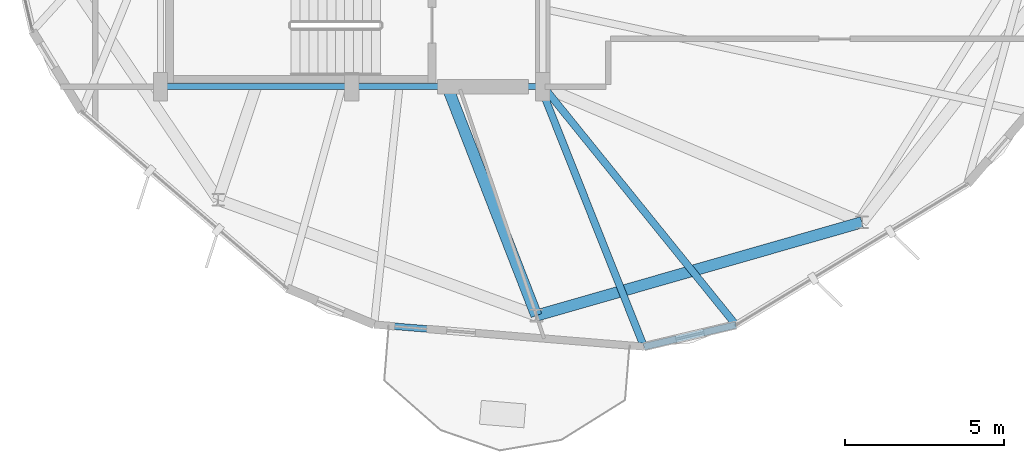
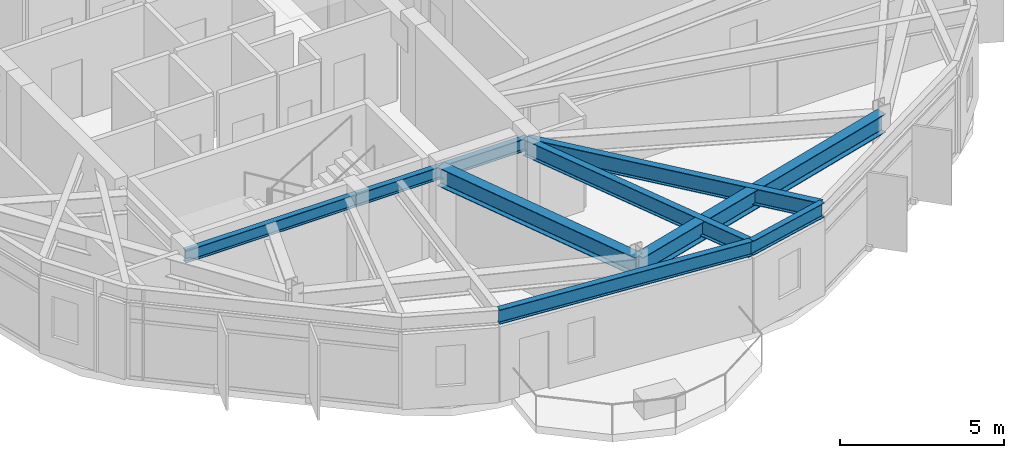
# One storey, part 4 of 23: 8 beams.
"""IFC4 building model written with IfcOpenShell, lengths in metres."""

import ifcopenshell
import ifcopenshell.guid

model = None  # the IFC model being written
_history = None  # IfcOwnerHistory: only IFC2X3 demands one
_inside = {}  # id of a spatial element -> (the spatial element, [elements in it])
_under = {}  # id of a project, library or spatial element -> (it, [spatial elements below it])
_declared = {}  # id of a project -> (the project, [libraries it declares])
_typed = {}  # id of a type object -> (the type object, [elements of that type])
_made_of = {}  # id of a material, layer set ... -> (it, [elements and type objects made of it])


def new_model(schema):
    """Start an empty IFC model of exactly this schema.

    Asked for "IFC4X3", IfcOpenShell would pick the latest addendum, in which some entities
    have other attributes; the version numbers below select the first issue.
    IFC2X3 requires an IfcOwnerHistory on every rooted entity: one is made here for all.
    """
    global model, _history
    if schema == "IFC4X3":
        model = ifcopenshell.file(schema_version=(4, 3, 0, 0))
    else:
        model = ifcopenshell.file(schema=schema)
    _inside.clear()
    _under.clear()
    _declared.clear()
    _typed.clear()
    _made_of.clear()
    _history = None
    if model.schema == "IFC2X3":
        org = make("IfcOrganization", Name="unknown")
        user = make(
            "IfcPersonAndOrganization",
            ThePerson=make("IfcPerson", FamilyName="unknown"),
            TheOrganization=org,
        )
        app = make(
            "IfcApplication",
            ApplicationDeveloper=org,
            Version="unknown",
            ApplicationFullName="unknown",
            ApplicationIdentifier="unknown",
        )
        _history = make(
            "IfcOwnerHistory",
            OwningUser=user,
            OwningApplication=app,
            ChangeAction="ADDED",
            CreationDate=0,
        )
    return model


def make(cls, **values):
    """One entity of the class cls with the attributes given. An attribute that is None is left unset."""
    return model.create_entity(
        cls, **{name: value for name, value in values.items() if value is not None}
    )


def rooted(cls, **values):
    """An entity with a GlobalId (a new one), such as an element, a storey or a relation."""
    return make(cls, GlobalId=ifcopenshell.guid.new(), OwnerHistory=_history, **values)


def si_unit(unit_type, name, prefix=None):
    """IfcSIUnit, for example si_unit("LENGTHUNIT", "METRE", prefix="MILLI")."""
    return make("IfcSIUnit", UnitType=unit_type, Prefix=prefix, Name=name)


def assignment(units):
    """IfcUnitAssignment: the units of a project."""
    return None if units is None else make("IfcUnitAssignment", Units=units)


def point(xyz):
    """IfcCartesianPoint."""
    return None if xyz is None else make("IfcCartesianPoint", Coordinates=xyz)


def direction(xyz):
    """IfcDirection."""
    return None if xyz is None else make("IfcDirection", DirectionRatios=xyz)


def frame(location, z_axis=None, x_axis=None):
    """IfcAxis2Placement3D, a coordinate frame: its origin and axes. An axis left out is left unset."""
    return make(
        "IfcAxis2Placement3D",
        Location=point(location),
        Axis=direction(z_axis),
        RefDirection=direction(x_axis),
    )


def frame_2d(location, x_axis=None):
    """IfcAxis2Placement2D, a coordinate frame in the plane: its origin and x axis."""
    return make(
        "IfcAxis2Placement2D", Location=point(location), RefDirection=direction(x_axis)
    )


def origin():
    """The frame at (0, 0, 0) with its axes left unset."""
    return frame((0.0, 0.0, 0.0))


def origin_2d():
    """The frame at (0, 0) in the plane with its x axis left unset."""
    return frame_2d((0.0, 0.0))


def place(relative_to, where):
    """IfcLocalPlacement: puts the frame where relative to a parent placement (None: the world)."""
    return make(
        "IfcLocalPlacement", PlacementRelTo=relative_to, RelativePlacement=where
    )


def context(
    kind, dimensions, precision=None, world=None, true_north=None, identifier=None
):
    """IfcGeometricRepresentationContext, for example the 3D "Model" context."""
    return make(
        "IfcGeometricRepresentationContext",
        ContextIdentifier=identifier,
        ContextType=kind,
        CoordinateSpaceDimension=dimensions,
        Precision=precision,
        WorldCoordinateSystem=world,
        TrueNorth=true_north,
    )


def subcontext(parent, identifier, kind, view, scale=None):
    """IfcGeometricRepresentationSubContext, for example "Body" below "Model"."""
    return make(
        "IfcGeometricRepresentationSubContext",
        ContextIdentifier=identifier,
        ContextType=kind,
        ParentContext=parent,
        TargetScale=scale,
        TargetView=view,
    )


def project(units=None, contexts=None):
    """IfcProject with its units and contexts."""
    return rooted(
        "IfcProject",
        Name="project",
        RepresentationContexts=contexts,
        UnitsInContext=assignment(units),
    )


def spatial(cls, under=None, at=None, **own):
    """A site, building, storey or space (cls), placed at a placement, below another one or the project."""
    s = rooted(cls, ObjectPlacement=at, **own)
    if under is not None:
        _under.setdefault(under.id(), (under, []))[1].append(s)
    return s


def profile(cls, at=None, kind="AREA", **sizes):
    """A parametric profile (cls). Its sizes go by their IFC names, for example OverallWidth=200.0."""
    return make(cls, ProfileType=kind, Position=at, **sizes)


def i_section(**sizes):
    """IfcIShapeProfileDef."""
    return profile("IfcIShapeProfileDef", **sizes)


def extrude(swept, where, along, depth):
    """IfcExtrudedAreaSolid: the profile swept, set in the frame where, extruded along a direction by depth."""
    return make(
        "IfcExtrudedAreaSolid",
        SweptArea=swept,
        Position=where,
        ExtrudedDirection=direction(along),
        Depth=depth,
    )


def shape(context_of_items, identifier, shape_type, items):
    """IfcShapeRepresentation: the items that make up one representation, for example the "Body"."""
    return make(
        "IfcShapeRepresentation",
        ContextOfItems=context_of_items,
        RepresentationIdentifier=identifier,
        RepresentationType=shape_type,
        Items=items,
    )


def material(Name=None, Category=None):
    """IfcMaterial."""
    return make("IfcMaterial", Name=Name, Category=Category)


def material_profile(
    of_material, cross_section, Name=None, Category=None, Priority=None
):
    """IfcMaterialProfile: a cross section and its material."""
    return make(
        "IfcMaterialProfile",
        Name=Name,
        Material=of_material,
        Profile=cross_section,
        Priority=Priority,
        Category=Category,
    )


def profile_set(profiles, Name=None, composite=None):
    """IfcMaterialProfileSet."""
    return make(
        "IfcMaterialProfileSet",
        Name=Name,
        MaterialProfiles=profiles,
        CompositeProfile=composite,
    )


def made_of(thing, what):
    """Note that an element or type object is made of a material, layer set ...; save() writes the relation."""
    if what is not None:
        _made_of.setdefault(what.id(), (what, []))[1].append(thing)
    return thing


def type_object(cls, material=None, **own):
    """A type object (cls), such as IfcWallType, which elements share."""
    return made_of(rooted(cls, **own), material)


def element(
    cls,
    number,
    at=None,
    inside=None,
    cuts=None,
    type_object=None,
    material=None,
    context=None,
    identifier="Body",
    shape_type=None,
    held_by="IfcProductDefinitionShape",
    body=None,
    shapes=None,
    **own,
):
    """One element of the class cls, such as IfcWall. Its Tag is "e" and its number.

    at: its placement. inside: the storey or other place that contains it. cuts: it is an
    opening in that element (IfcRelVoidsElement). A single representation is given by context,
    identifier, shape_type and body (its items); several are given by shapes. held_by: the class
    of the entity that holds the representations. save() writes the other relations.
    """
    e = rooted(cls, Tag="e%d" % number, ObjectPlacement=at, **own)
    if body is not None:
        shapes = [shape(context, identifier, shape_type, body)]
    if shapes is not None:
        e.Representation = make(held_by, Representations=shapes)
    if inside is not None:
        _inside.setdefault(inside.id(), (inside, []))[1].append(e)
    if cuts is not None:
        rooted(
            "IfcRelVoidsElement", RelatingBuildingElement=cuts, RelatedOpeningElement=e
        )
    if type_object is not None:
        _typed.setdefault(type_object.id(), (type_object, []))[1].append(e)
    return made_of(e, material)


def aggregate(whole, parts):
    """IfcRelAggregates: a whole, such as a stair, and the parts it consists of."""
    return rooted("IfcRelAggregates", RelatingObject=whole, RelatedObjects=parts)


def save(model, path):
    """Write the relations noted so far, then the file.

    IfcRelAggregates (storeys below a building ...), IfcRelContainedInSpatialStructure (elements
    in a storey), IfcRelDefinesByType, IfcRelAssociatesMaterial and IfcRelDeclares: one each for
    every whole, place, type object, material and project.
    """
    for whole, parts in _under.values():
        aggregate(whole, parts)
    for where, things in _inside.values():
        rooted(
            "IfcRelContainedInSpatialStructure",
            RelatedElements=things,
            RelatingStructure=where,
        )
    for kind, things in _typed.values():
        rooted("IfcRelDefinesByType", RelatedObjects=things, RelatingType=kind)
    for what, things in _made_of.values():
        rooted("IfcRelAssociatesMaterial", RelatedObjects=things, RelatingMaterial=what)
    for by, libraries in _declared.values():
        rooted("IfcRelDeclares", RelatingContext=by, RelatedDefinitions=libraries)
    model.write(path)


model = new_model("IFC4")

# Units and contexts
model_context = context("Model", 3, precision=1e-05, world=origin(), true_north=direction((0.0, 1.0)))
body_context = subcontext(model_context, "Body", "Model", "MODEL_VIEW")
ifc_project = project(units=[si_unit("LENGTHUNIT", "METRE"), si_unit("AREAUNIT", "SQUARE_METRE"), si_unit("VOLUMEUNIT", "CUBIC_METRE"), si_unit("PLANEANGLEUNIT", "RADIAN"), si_unit("MASSUNIT", "GRAM", prefix="KILO")], contexts=[model_context])

# Site, building, storey
site_placement = place(None, origin())
site = spatial("IfcSite", under=ifc_project, at=site_placement, CompositionType="ELEMENT")
building_placement = place(site_placement, origin())
building = spatial("IfcBuilding", under=site, at=building_placement, Name="Soratama Intermodal Tower", CompositionType="ELEMENT")
storey_placement = place(building_placement, frame((0.0, 0.0, 280.0)))
storey = spatial("IfcBuildingStorey", under=building, at=storey_placement, Name="L71", CompositionType="ELEMENT", Elevation=280.0)

# Beams
ifc_material_1 = material(Name="Structural steel ASTM A992 Grade 50", Category="steel")
ifc_material_profile_1 = material_profile(ifc_material_1, i_section(OverallWidth=0.19091796875, OverallDepth=0.4599609375, WebThickness=0.010009765625, FlangeThickness=0.01611328125, FilletRadius=0.010986328125, at=origin_2d()), Name="W18X55")
ifc_profile_set_1 = profile_set([ifc_material_profile_1], Name="Structural steel ASTM A992 Grade 50")
beam_type_1 = type_object("IfcBeamType", Name="BM-FLR-W18X55", PredefinedType="BEAM", material=ifc_profile_set_1)
for number, where, z_axis, x_axis, name in (
    (1, (32.60009765625, 15.0, 3.179931640625), (1.0, 0.0, 0.0), (0.0, 1.0, 0.0), "BM-L71-CRING-01"),
    (2, (38.60009765625, 15.0, 3.179931640625), (1.0, 0.0, 0.0), (0.0, 1.0, 0.0), "BM-L71-CRING-02"),
):
    element("IfcBeam", number, at=place(storey_placement, frame(where, z_axis=z_axis, x_axis=x_axis)), inside=storey, type_object=beam_type_1, Name=name, PredefinedType="BEAM", context=body_context, shape_type="SweptSolid", body=[
        extrude(i_section(OverallWidth=0.19091796875, OverallDepth=0.4599609375, WebThickness=0.010009765625, FlangeThickness=0.01611328125, FilletRadius=0.010986328125, at=origin_2d()), origin(), (0.0, 0.0, 1.0), 6.0),
    ])
ifc_material_2 = material(Name="Structural steel ASTM A992 Grade 50", Category="steel")
ifc_material_profile_2 = material_profile(ifc_material_2, i_section(OverallWidth=0.35498046875, OverallDepth=0.695068359375, WebThickness=0.015380859375, FlangeThickness=0.02490234375, FilletRadius=0.01611328125, at=origin_2d()), Name="W27X146")
ifc_profile_set_2 = profile_set([ifc_material_profile_2], Name="Structural steel ASTM A992 Grade 50")
beam_type_2 = type_object("IfcBeamType", Name="BM-RING-W27X146", PredefinedType="BEAM", material=ifc_profile_set_2)
beam_1_placement = place(storey_placement, frame((44.39990234375, 7.81103515625, 3.0625), z_axis=(0.961262636932, 0.27563407416, 0.0), x_axis=(-0.27563407416, 0.961262636932, 0.0)))
element("IfcBeam", 3, at=beam_1_placement, inside=storey, type_object=beam_type_2, Name="BM-L71-RING-08", PredefinedType="BEAM", context=body_context, shape_type="SweptSolid", body=[
    extrude(i_section(OverallWidth=0.35498046875, OverallDepth=0.695068359375, WebThickness=0.015380859375, FlangeThickness=0.02490234375, FilletRadius=0.01611328125, at=origin_2d()), origin(), (0.0, 0.0, 1.0), 10.6298828125),
])
beam_2_placement = place(storey_placement, frame((41.60009765625, 15.0, 3.0625), z_axis=(0.362907405592, -0.931825206231, 0.0), x_axis=(0.931825206231, 0.362907405592, 0.0)))
element("IfcBeam", 4, at=beam_2_placement, inside=storey, type_object=beam_type_2, Name="BM-L71-RAD-08", PredefinedType="BEAM", context=body_context, shape_type="SweptSolid", body=[
    extrude(i_section(OverallWidth=0.35498046875, OverallDepth=0.695068359375, WebThickness=0.015380859375, FlangeThickness=0.02490234375, FilletRadius=0.01611328125, at=origin_2d()), origin(), (0.0, 0.0, 1.0), 7.71484375),
])
ifc_material_3 = material(Name="Structural steel ASTM A992 Grade 50", Category="steel")
ifc_material_profile_3 = material_profile(ifc_material_3, i_section(OverallWidth=0.2099609375, OverallDepth=0.537109375, WebThickness=0.010986328125, FlangeThickness=0.017333984375, FilletRadius=0.012939453125, at=origin_2d()), Name="W21X68")
ifc_profile_set_3 = profile_set([ifc_material_profile_3], Name="Structural steel ASTM A992 Grade 50")
beam_type_3 = type_object("IfcBeamType", Name="BM-SPN-W21X68", PredefinedType="SPANDREL", material=ifc_profile_set_3)
beam_3_placement = place(storey_placement, frame((39.304931640625, 7.527099609375, 3.1416015625), z_axis=(0.996660855544, -0.08165255064, 0.0), x_axis=(0.08165255064, 0.996660855544, 0.0)))
element("IfcBeam", 5, at=beam_3_placement, inside=storey, type_object=beam_type_3, Name="BS-L71-F06", PredefinedType="SPANDREL", context=body_context, shape_type="SweptSolid", body=[
    extrude(i_section(OverallWidth=0.2099609375, OverallDepth=0.537109375, WebThickness=0.010986328125, FlangeThickness=0.017333984375, FilletRadius=0.012939453125, at=origin_2d()), origin(), (0.0, 0.0, 1.0), 8.50048828125),
])
beam_4_placement = place(storey_placement, frame((47.777099609375, 6.8330078125, 3.1416015625), z_axis=(0.973129318209, 0.230259267006, 0.0), x_axis=(-0.230259267006, 0.973129318209, 0.0)))
element("IfcBeam", 6, at=beam_4_placement, inside=storey, type_object=beam_type_3, Name="BS-L71-CRN06", PredefinedType="SPANDREL", context=body_context, shape_type="SweptSolid", body=[
    extrude(i_section(OverallWidth=0.2099609375, OverallDepth=0.537109375, WebThickness=0.010986328125, FlangeThickness=0.017333984375, FilletRadius=0.012939453125, at=origin_2d()), origin(), (0.0, 0.0, 1.0), 2.966796875),
])
ifc_material_4 = material(Name="Structural steel ASTM A992 Grade 50", Category="steel")
ifc_material_profile_4 = material_profile(ifc_material_4, i_section(OverallWidth=0.22900390625, OverallDepth=0.612060546875, WebThickness=0.011962890625, FlangeThickness=0.01953125, FilletRadius=0.012939453125, at=origin_2d()), Name="W24X84")
ifc_profile_set_4 = profile_set([ifc_material_profile_4], Name="Structural steel ASTM A992 Grade 50")
beam_type_4 = type_object("IfcBeamType", Name="BM-TIE-W24X84", PredefinedType="BEAM", material=ifc_profile_set_4)
beam_5_placement = place(storey_placement, frame((44.54296875, 14.962890625, 3.10400390625), z_axis=(0.369634033285, -0.929177421937, 0.0), x_axis=(0.929177421937, 0.369634033285, 0.0)))
element("IfcBeam", 7, at=beam_5_placement, inside=storey, type_object=beam_type_4, Name="BM-L71-TIE1-06", PredefinedType="BEAM", context=body_context, shape_type="SweptSolid", body=[
    extrude(i_section(OverallWidth=0.22900390625, OverallDepth=0.612060546875, WebThickness=0.011962890625, FlangeThickness=0.01953125, FilletRadius=0.012939453125, at=origin_2d()), origin(), (0.0, 0.0, 1.0), 8.74951171875),
])
beam_6_placement = place(storey_placement, frame((44.625, 14.987060546875, 3.10400390625), z_axis=(0.628641708866, -0.777695057123, 0.0), x_axis=(0.777695057123, 0.628641708866, 0.0)))
element("IfcBeam", 8, at=beam_6_placement, inside=storey, type_object=beam_type_4, Name="BM-L71-TIE0-07", PredefinedType="BEAM", context=body_context, shape_type="SweptSolid", body=[
    extrude(i_section(OverallWidth=0.22900390625, OverallDepth=0.612060546875, WebThickness=0.011962890625, FlangeThickness=0.01953125, FilletRadius=0.012939453125, at=origin_2d()), origin(), (0.0, 0.0, 1.0), 9.6064453125),
])

save(model, "model.ifc")
